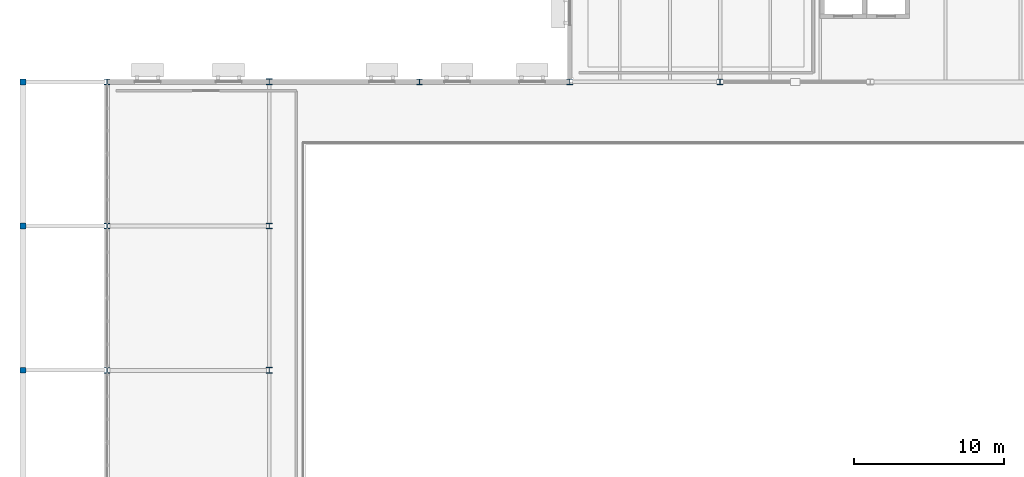
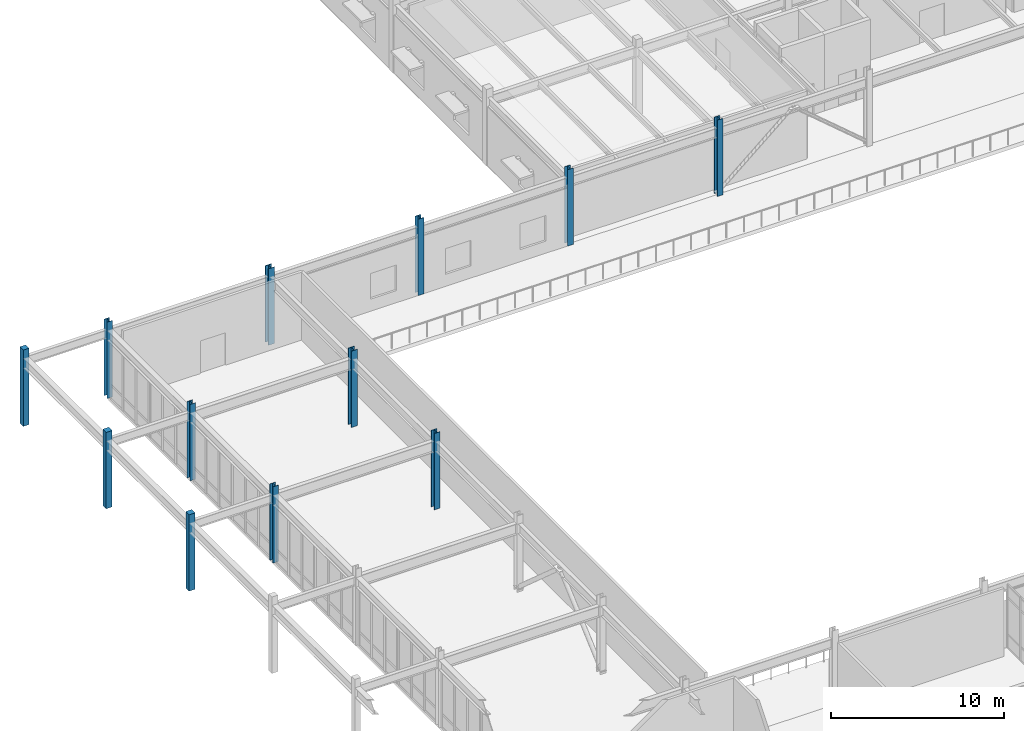
# One storey, part 4 of 68: 12 columns.
"""IFC4 building model written with IfcOpenShell, lengths in metres."""

from ifc_helpers import new_model, si_unit, direction, frame, origin, origin_2d, place, context, subcontext, project, spatial, rectangle, i_section, extrude, material, material_profile, profile_set, type_object, element, save


model = new_model("IFC4")

# Units and contexts
model_context = context("Model", 3, precision=1e-05, world=origin(), true_north=direction((0.0, 1.0)))
body_context = subcontext(model_context, "Body", "Model", "MODEL_VIEW")
ifc_project = project(units=[si_unit("LENGTHUNIT", "METRE"), si_unit("AREAUNIT", "SQUARE_METRE"), si_unit("VOLUMEUNIT", "CUBIC_METRE"), si_unit("PLANEANGLEUNIT", "RADIAN"), si_unit("MASSUNIT", "GRAM", prefix="KILO")], contexts=[model_context])

# Site, building, storey
site_placement = place(None, origin())
site = spatial("IfcSite", under=ifc_project, at=site_placement, CompositionType="ELEMENT")
building_placement = place(site_placement, origin())
building = spatial("IfcBuilding", under=site, at=building_placement, Name="Veldera Park Congress Hotel", CompositionType="ELEMENT")
storey_placement = place(building_placement, frame((0.0, 0.0, 10.800048828125)))
storey = spatial("IfcBuildingStorey", under=building, at=storey_placement, Name="L02", CompositionType="ELEMENT", Elevation=10.800048828125)

# Columns
ifc_material_1 = material(Name="Glulam GL28h (NDS 24F-V4)", Category="wood")
ifc_material_profile_1 = material_profile(ifc_material_1, rectangle(XDim=0.389892578125, YDim=0.389892578125, at=origin_2d()), Name="GL28h 390x390")
ifc_profile_set_1 = profile_set([ifc_material_profile_1], Name="Glulam GL28h (NDS 24F-V4)")
column_type_1 = type_object("IfcColumnType", Name="COL-GL36E", PredefinedType="COLUMN", material=ifc_profile_set_1)
for number, where, z_axis, x_axis, name in (
    (1, (-83.800048828125, 7.800048828125, 0.0), (0.0, 0.0, 1.0), (1.0, 0.0, 0.0), "L02 Column COL-GL36E (-83.8,7.8)"),
    (2, (-83.800048828125, 17.39990234375, 0.0), (0.0, 0.0, 1.0), (1.0, 0.0, 0.0), "L02 Column COL-GL36E (-83.8,17.4)"),
    (3, (-83.800048828125, 27.0, 0.0), (0.0, 0.0, 1.0), (1.0, 0.0, 0.0), "L02 Column COL-GL36E (-83.8,27.0)"),
):
    element("IfcColumn", number, at=place(storey_placement, frame(where, z_axis=z_axis, x_axis=x_axis)), inside=storey, type_object=column_type_1, Name=name, PredefinedType="COLUMN", context=body_context, shape_type="SweptSolid", body=[
        extrude(rectangle(XDim=0.389892578125, YDim=0.389892578125, at=origin_2d()), origin(), (0.0, 0.0, 1.0), 5.39990234375),
    ])
ifc_material_2 = material(Name="Steel ASTM A992 Gr.50", Category="steel")
ifc_material_profile_2 = material_profile(ifc_material_2, i_section(OverallWidth=0.373046875, OverallDepth=0.367919921875, WebThickness=0.014892578125, FlangeThickness=0.02392578125, at=origin_2d()), Name="W14X120")
ifc_profile_set_2 = profile_set([ifc_material_profile_2], Name="Steel ASTM A992 Gr.50")
column_type_2 = type_object("IfcColumnType", Name="COL-STL120E", PredefinedType="COLUMN", material=ifc_profile_set_2)
for number, where, z_axis, x_axis, name in (
    (4, (-78.199951171875, 7.800048828125, 0.0), (0.0, 0.0, 1.0), (1.0, 0.0, 0.0), "L02 Column COL-STL120E (-78.2,7.8)"),
    (5, (-78.199951171875, 17.39990234375, 0.0), (0.0, 0.0, 1.0), (1.0, 0.0, 0.0), "L02 Column COL-STL120E (-78.2,17.4)"),
    (6, (-78.199951171875, 27.0, 0.0), (0.0, 0.0, 1.0), (1.0, 0.0, 0.0), "L02 Column COL-STL120E (-78.2,27.0)"),
):
    element("IfcColumn", number, at=place(storey_placement, frame(where, z_axis=z_axis, x_axis=x_axis)), inside=storey, type_object=column_type_2, Name=name, PredefinedType="COLUMN", context=body_context, shape_type="SweptSolid", body=[
        extrude(i_section(OverallWidth=0.373046875, OverallDepth=0.367919921875, WebThickness=0.014892578125, FlangeThickness=0.02392578125, at=origin_2d()), origin(), (0.0, 0.0, 1.0), 5.39990234375),
    ])
ifc_material_profile_3 = material_profile(ifc_material_2, i_section(OverallWidth=0.3740234375, OverallDepth=0.3720703125, WebThickness=0.016357421875, FlangeThickness=0.026123046875, at=origin_2d()), Name="W14X132")
ifc_profile_set_3 = profile_set([ifc_material_profile_3], Name="Steel ASTM A992 Gr.50")
column_type_3 = type_object("IfcColumnType", Name="COL-STL132", PredefinedType="COLUMN", material=ifc_profile_set_3)
for number, where, z_axis, x_axis, name in (
    (7, (-57.39990234375, 27.0, 0.0), (0.0, 0.0, 1.0), (1.0, 0.0, 0.0), "L02 Column COL-STL132 (-57.4,27.0)"),
    (8, (-47.39990234375, 27.0, 0.0), (0.0, 0.0, 1.0), (1.0, 0.0, 0.0), "L02 Column COL-STL132 (-47.4,27.0)"),
    (9, (-37.39990234375, 27.0, 0.0), (0.0, 0.0, 1.0), (1.0, 0.0, 0.0), "L02 Column COL-STL132 (-37.4,27.0)"),
):
    element("IfcColumn", number, at=place(storey_placement, frame(where, z_axis=z_axis, x_axis=x_axis)), inside=storey, type_object=column_type_3, Name=name, PredefinedType="COLUMN", context=body_context, shape_type="SweptSolid", body=[
        extrude(i_section(OverallWidth=0.3740234375, OverallDepth=0.3720703125, WebThickness=0.016357421875, FlangeThickness=0.026123046875, at=origin_2d()), origin(), (0.0, 0.0, 1.0), 5.39990234375),
    ])
ifc_material_profile_4 = material_profile(ifc_material_2, i_section(OverallWidth=0.39697265625, OverallDepth=0.386962890625, WebThickness=0.02099609375, FlangeThickness=0.033203125, at=origin_2d()), Name="W14X176")
ifc_profile_set_4 = profile_set([ifc_material_profile_4], Name="Steel ASTM A992 Gr.50")
column_type_4 = type_object("IfcColumnType", Name="COL-STL176", PredefinedType="COLUMN", material=ifc_profile_set_4)
for number, where, z_axis, x_axis, name in (
    (10, (-67.39990234375, 7.800048828125, 0.0), (0.0, 0.0, 1.0), (1.0, 0.0, 0.0), "L02 Column COL-STL176 (-67.4,7.8)"),
    (11, (-67.39990234375, 17.39990234375, 0.0), (0.0, 0.0, 1.0), (1.0, 0.0, 0.0), "L02 Column COL-STL176 (-67.4,17.4)"),
):
    element("IfcColumn", number, at=place(storey_placement, frame(where, z_axis=z_axis, x_axis=x_axis)), inside=storey, type_object=column_type_4, Name=name, PredefinedType="COLUMN", context=body_context, shape_type="SweptSolid", body=[
        extrude(i_section(OverallWidth=0.39697265625, OverallDepth=0.386962890625, WebThickness=0.02099609375, FlangeThickness=0.033203125, at=origin_2d()), origin(), (0.0, 0.0, 1.0), 5.39990234375),
    ])
ifc_material_profile_5 = material_profile(ifc_material_2, i_section(OverallWidth=0.39892578125, OverallDepth=0.39306640625, WebThickness=0.022705078125, FlangeThickness=0.03662109375, at=origin_2d()), Name="W14X193")
ifc_profile_set_5 = profile_set([ifc_material_profile_5], Name="Steel ASTM A992 Gr.50")
column_type_5 = type_object("IfcColumnType", Name="COL-STL176E", PredefinedType="COLUMN", material=ifc_profile_set_5)
column_placement = place(storey_placement, frame((-67.39990234375, 27.0, 0.0), z_axis=(0.0, 0.0, 1.0), x_axis=(1.0, 0.0, 0.0)))
element("IfcColumn", 12, at=column_placement, inside=storey, type_object=column_type_5, Name="L02 Column COL-STL176E (-67.4,27.0)", PredefinedType="COLUMN", context=body_context, shape_type="SweptSolid", body=[
    extrude(i_section(OverallWidth=0.39892578125, OverallDepth=0.39306640625, WebThickness=0.022705078125, FlangeThickness=0.03662109375, at=origin_2d()), origin(), (0.0, 0.0, 1.0), 5.39990234375),
])

save(model, "model.ifc")
